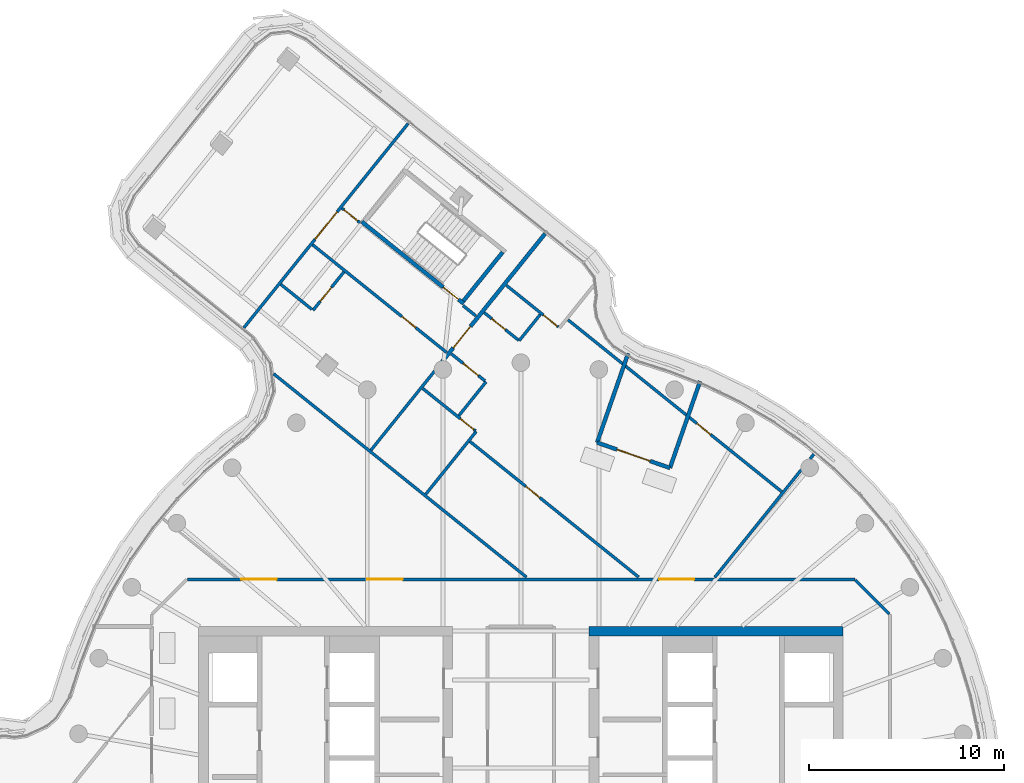
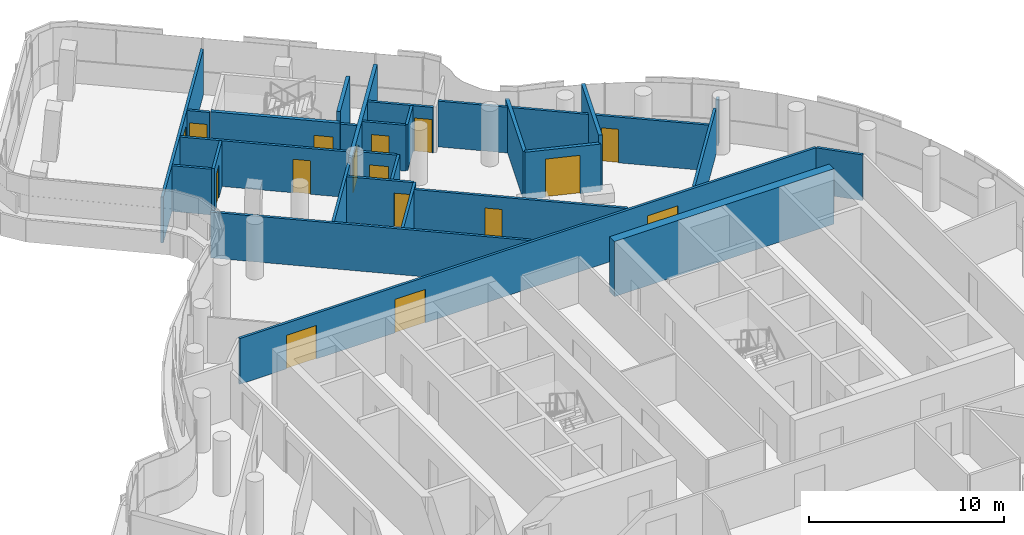
# One storey, part 18 of 25: 28 walls, 16 doors, 16 openings.
"""IFC4 building model written with IfcOpenShell, lengths in metres."""

from ifc_helpers import new_model, si_unit, direction, frame, frame_2d, origin, place, context, subcontext, project, spatial, rectangle, extrude, material, layer, layer_set, type_object, element, fill, save


model = new_model("IFC4")

# Units and contexts
model_context = context("Model", 3, precision=1e-05, world=origin(), true_north=direction((0.0, 1.0)))
body_context = subcontext(model_context, "Body", "Model", "MODEL_VIEW")
ifc_project = project(units=[si_unit("LENGTHUNIT", "METRE"), si_unit("AREAUNIT", "SQUARE_METRE"), si_unit("VOLUMEUNIT", "CUBIC_METRE"), si_unit("PLANEANGLEUNIT", "RADIAN"), si_unit("MASSUNIT", "GRAM", prefix="KILO")], contexts=[model_context])

# Site, building, storey
site_placement = place(None, origin())
site = spatial("IfcSite", under=ifc_project, at=site_placement, CompositionType="ELEMENT")
building_placement = place(site_placement, origin())
building = spatial("IfcBuilding", under=site, at=building_placement, Name="Tamarind Cross Interchange Tower", CompositionType="ELEMENT")
storey_placement = place(building_placement, frame((0.0, 0.0, 219.89990234375)))
storey = spatial("IfcBuildingStorey", under=building, at=storey_placement, Name="L55", CompositionType="ELEMENT", Elevation=219.89990234375)

# Wall, opening, door
ifc_material_1 = material(Name="Concrete C40", Category="concrete")
ifc_layer_1 = layer(ifc_material_1, 0.199951171875)
ifc_layer_set_1 = layer_set([ifc_layer_1], Name="Concrete C40")
wall_type_1 = type_object("IfcWallType", Name="Balcony and garden door wall", PredefinedType="SOLIDWALL", material=ifc_layer_set_1)
wall_1_placement = place(storey_placement, frame((7.6337890625, 17.6083984375, 0.0), z_axis=(0.0, 0.0, 1.0), x_axis=(-0.944480118934, 0.328568569613, 0.0)))
wall_1 = element("IfcWall", 1, at=wall_1_placement, inside=storey, type_object=wall_type_1, Name="EXW-L55-WG-L55-WNb", PredefinedType="SOLIDWALL", context=body_context, shape_type="SweptSolid", body=[
    extrude(rectangle(XDim=3.949951171875, YDim=0.199951171875, at=frame_2d((1.97509765625, 0.0))), origin(), (0.0, 0.0, 1.0), 2.964111328125),
])
opening_1_placement = place(wall_1_placement, frame((1.074951171875, 0.0, 0.0)))
opening_1 = element("IfcOpeningElement", 2, at=opening_1_placement, cuts=wall_1, Name="Opening D5", PredefinedType="OPENING", context=body_context, shape_type="SweptSolid", body=[
    extrude(rectangle(XDim=1.800048828125, YDim=2.39990234375, at=frame_2d((0.89990234375, 1.199951171875))), frame((0.0, 0.10986328125, 0.0), z_axis=(0.0, -1.0, 0.0), x_axis=(1.0, 0.0, 0.0)), (0.0, 0.0, 1.0), 0.219970703125),
])
ifc_material_2 = material(Name="Aluminium and toughened glass", Category="aluminium")
door_type_1 = type_object("IfcDoorType", Name="Roof garden door", OperationType="DOUBLE_DOOR_SINGLE_SWING", PredefinedType="DOOR", material=ifc_material_2)
door_1_placement = place(opening_1_placement, origin())
door_1 = element("IfcDoor", 3, at=door_1_placement, inside=storey, type_object=door_type_1, Name="DOR-L55-WG-L55-WNb", OperationType="SINGLE_SWING_LEFT", OverallHeight=2.39990234375, OverallWidth=1.800048828125, PredefinedType="DOOR", context=body_context, shape_type="SweptSolid", body=[
    extrude(rectangle(XDim=1.800048828125, YDim=2.39990234375, at=frame_2d((0.89990234375, 1.199951171875))), frame((0.0, 0.02490234375, 0.0), z_axis=(0.0, -1.0, 0.0), x_axis=(1.0, 0.0, 0.0)), (0.0, 0.0, 1.0), 0.050048828125),
])
fill(opening_1, door_1)

# Walls
wall_2_placement = place(storey_placement, frame((7.633544921875, 17.6083984375, 0.0), z_axis=(0.0, 0.0, 1.0), x_axis=(0.328583047261, 0.944475082283, 0.0)))
element("IfcWall", 4, at=wall_2_placement, inside=storey, type_object=wall_type_1, Name="EXW-L55-WG-L55-WNb-R0", PredefinedType="SOLIDWALL", context=body_context, shape_type="SweptSolid", body=[
    extrude(rectangle(XDim=4.702392578125, YDim=0.199951171875, at=frame_2d((2.35107421875, 0.0))), origin(), (0.0, 0.0, 1.0), 3.460205078125),
])
wall_3_placement = place(storey_placement, frame((3.9033203125, 18.90625, 0.0), z_axis=(0.0, 0.0, 1.0), x_axis=(0.328583250144, 0.9444750117, 0.0)))
element("IfcWall", 5, at=wall_3_placement, inside=storey, type_object=wall_type_1, Name="EXW-L55-WG-L55-WNb-R1", PredefinedType="SOLIDWALL", context=body_context, shape_type="SweptSolid", body=[
    extrude(rectangle(XDim=4.83837890625, YDim=0.199951171875, at=frame_2d((2.419189453125, 0.0))), origin(), (0.0, 0.0, 1.0), 2.964111328125),
])
ifc_material_3 = material(Name="Concrete C50", Category="concrete")
ifc_layer_2 = layer(ifc_material_3, 0.5)
ifc_layer_set_2 = layer_set([ifc_layer_2], Name="Concrete C50")
wall_type_2 = type_object("IfcWallType", Name="Core wall 500 mm Concrete C50", PredefinedType="SHEAR", material=ifc_layer_set_2)
wall_4_placement = place(storey_placement, frame((16.5, 9.25, 0.0), z_axis=(0.0, 0.0, 1.0), x_axis=(-1.0, 0.0, 0.0)))
element("IfcWall", 6, at=wall_4_placement, inside=storey, type_object=wall_type_2, Name="Core wall CWL-L55-E-NE", PredefinedType="SHEAR", context=body_context, shape_type="SweptSolid", body=[
    extrude(rectangle(XDim=13.0, YDim=0.5, at=frame_2d((6.5, 0.0))), origin(), (0.0, 0.0, 1.0), 3.460205078125),
])
ifc_material_4 = material(Name="Gypsum board partition on steel studs", Category="steel")
ifc_layer_3 = layer(ifc_material_4, 0.14990234375)
ifc_layer_set_3 = layer_set([ifc_layer_3], Name="Gypsum board partition on steel studs")
wall_type_3 = type_object("IfcWallType", Name="Partition 150 mm EI 120", PredefinedType="PARTITIONING", material=ifc_layer_set_3)
wall_5_placement = place(storey_placement, frame((17.12841796875, 11.87158203125, 0.0), z_axis=(0.0, 0.0, 1.0), x_axis=(0.707106781187, -0.707106781187, 0.0)))
element("IfcWall", 7, at=wall_5_placement, inside=storey, type_object=wall_type_3, Name="Partition L55-003", PredefinedType="PARTITIONING", context=body_context, shape_type="SweptSolid", body=[
    extrude(rectangle(XDim=2.465087890625, YDim=0.14990234375, at=frame_2d((1.232421875, 0.0))), origin(), (0.0, 0.0, 1.0), 2.864013671875),
])
wall_6_placement = place(storey_placement, frame((-12.664794921875, 22.431884765625, 0.0), z_axis=(0.0, 0.0, 1.0), x_axis=(0.779284245227, -0.626670619338, 0.0)))
element("IfcWall", 8, at=wall_6_placement, inside=storey, type_object=wall_type_3, Name="Partition L55-011", PredefinedType="PARTITIONING", context=body_context, shape_type="SweptSolid", body=[
    extrude(rectangle(XDim=16.62109375, YDim=0.14990234375, at=frame_2d((8.310546875, 0.0))), origin(), (0.0, 0.0, 1.0), 2.864013671875),
])
wall_7_placement = place(storey_placement, frame((-12.293701171875, 27.010009765625, 0.0), z_axis=(0.0, 0.0, 1.0), x_axis=(0.779106968826, -0.626891004184, 0.0)))
element("IfcWall", 9, at=wall_7_placement, inside=storey, type_object=wall_type_3, Name="Partition L55-012", PredefinedType="PARTITIONING", context=body_context, shape_type="SweptSolid", body=[
    extrude(rectangle(XDim=2.044921875, YDim=0.14990234375, at=frame_2d((1.0224609375, 0.0))), origin(), (0.0, 0.0, 1.0), 2.864013671875),
])

# Wall, opening, door
wall_8_placement = place(storey_placement, frame((-10.66455078125, 29.035888671875, 0.0), z_axis=(0.0, 0.0, 1.0), x_axis=(0.779529978914, -0.626364919176, 0.0)))
wall_8 = element("IfcWall", 10, at=wall_8_placement, inside=storey, type_object=wall_type_3, Name="Partition L55-013", PredefinedType="PARTITIONING", context=body_context, shape_type="SweptSolid", body=[
    extrude(rectangle(XDim=8.80029296875, YDim=0.14990234375, at=frame_2d((4.400146484375, 0.0))), origin(), (0.0, 0.0, 1.0), 2.864013671875),
])
opening_2_placement = place(wall_8_placement, frame((5.8701171875, 0.0, 0.0)))
opening_2 = element("IfcOpeningElement", 11, at=opening_2_placement, cuts=wall_8, Name="Opening D04", PredefinedType="OPENING", context=body_context, shape_type="SweptSolid", body=[
    extrude(rectangle(XDim=0.89990234375, YDim=2.10009765625, at=frame_2d((0.449951171875, 1.050048828125))), frame((0.0, 0.0849609375, 0.0), z_axis=(0.0, -1.0, 0.0), x_axis=(1.0, 0.0, 0.0)), (0.0, 0.0, 1.0), 0.169921875),
])
ifc_material_5 = material(Name="Fire-resisting door set")
door_type_2 = type_object("IfcDoorType", Name="Interior door 900 x 2100 FD60S", OperationType="SINGLE_SWING_LEFT", PredefinedType="DOOR", material=ifc_material_5)
door_2_placement = place(opening_2_placement, frame((0.89990234375, 0.0, 0.0), z_axis=(0.0, 0.0, 1.0), x_axis=(-1.0, 0.0, 0.0)))
door_2 = element("IfcDoor", 12, at=door_2_placement, inside=storey, type_object=door_type_2, Name="Door D04", OperationType="SINGLE_SWING_RIGHT", OverallHeight=2.10009765625, OverallWidth=0.89990234375, PredefinedType="DOOR", context=body_context, shape_type="SweptSolid", body=[
    extrude(rectangle(XDim=0.89990234375, YDim=2.10009765625, at=frame_2d((0.449951171875, 1.050048828125))), frame((0.0, 0.02490234375, 0.0), z_axis=(0.0, -1.0, 0.0), x_axis=(1.0, 0.0, 0.0)), (0.0, 0.0, 1.0), 0.050048828125),
])
fill(opening_2, door_2)

wall_9_placement = place(storey_placement, frame((-9.16064453125, 30.906982421875, 0.0), z_axis=(0.0, 0.0, 1.0), x_axis=(0.779191494895, -0.626785939763, 0.0)))
wall_9 = element("IfcWall", 13, at=wall_9_placement, inside=storey, type_object=wall_type_3, Name="Partition L55-014", PredefinedType="PARTITIONING", context=body_context, shape_type="SweptSolid", body=[
    extrude(rectangle(XDim=1.1806640625, YDim=0.14990234375, at=frame_2d((0.59033203125, 0.0))), origin(), (0.0, 0.0, 1.0), 2.864013671875),
])
opening_3_placement = place(wall_9_placement, frame((0.130615234375, 0.0, 0.0)))
opening_3 = element("IfcOpeningElement", 14, at=opening_3_placement, cuts=wall_9, Name="Opening D05", PredefinedType="OPENING", context=body_context, shape_type="SweptSolid", body=[
    extrude(rectangle(XDim=0.89990234375, YDim=2.10009765625, at=frame_2d((0.449951171875, 1.050048828125))), frame((0.0, 0.0849609375, 0.0), z_axis=(0.0, -1.0, 0.0), x_axis=(1.0, 0.0, 0.0)), (0.0, 0.0, 1.0), 0.169921875),
])
door_3_placement = place(opening_3_placement, origin())
door_3 = element("IfcDoor", 15, at=door_3_placement, inside=storey, type_object=door_type_2, Name="Door D05", OperationType="SINGLE_SWING_RIGHT", OverallHeight=2.10009765625, OverallWidth=0.89990234375, PredefinedType="DOOR", context=body_context, shape_type="SweptSolid", body=[
    extrude(rectangle(XDim=0.89990234375, YDim=2.10009765625, at=frame_2d((0.449951171875, 1.050048828125))), frame((0.0, 0.02490234375, 0.0), z_axis=(0.0, -1.0, 0.0), x_axis=(1.0, 0.0, 0.0)), (0.0, 0.0, 1.0), 0.050048828125),
])
fill(opening_3, door_3)

# Wall
wall_10_placement = place(storey_placement, frame((-2.95751953125, 25.91796875, 0.0), z_axis=(0.0, 0.0, 1.0), x_axis=(0.77922270064, -0.626747144235, 0.0)))
element("IfcWall", 16, at=wall_10_placement, inside=storey, type_object=wall_type_3, Name="Partition L55-015", PredefinedType="PARTITIONING", context=body_context, shape_type="SweptSolid", body=[
    extrude(rectangle(XDim=0.840576171875, YDim=0.14990234375, at=frame_2d((0.42041015625, 0.0))), origin(), (0.0, 0.0, 1.0), 2.864013671875),
])

# Wall, opening, door
wall_11_placement = place(storey_placement, frame((-5.02978515625, 21.681884765625, 0.0), z_axis=(0.0, 0.0, 1.0), x_axis=(0.779278251962, -0.626678072074, 0.0)))
wall_11 = element("IfcWall", 17, at=wall_11_placement, inside=storey, type_object=wall_type_3, Name="Partition L55-016", PredefinedType="PARTITIONING", context=body_context, shape_type="SweptSolid", body=[
    extrude(rectangle(XDim=3.479736328125, YDim=0.14990234375, at=frame_2d((1.73974609375, 0.0))), origin(), (0.0, 0.0, 1.0), 2.864013671875),
])
opening_4_placement = place(wall_11_placement, frame((2.4697265625, 0.0, 0.0)))
opening_4 = element("IfcOpeningElement", 18, at=opening_4_placement, cuts=wall_11, Name="Opening D06", PredefinedType="OPENING", context=body_context, shape_type="SweptSolid", body=[
    extrude(rectangle(XDim=0.89990234375, YDim=2.10009765625, at=frame_2d((0.449951171875, 1.050048828125))), frame((0.0, 0.0849609375, 0.0), z_axis=(0.0, -1.0, 0.0), x_axis=(1.0, 0.0, 0.0)), (0.0, 0.0, 1.0), 0.169921875),
])
door_4_placement = place(opening_4_placement, frame((0.89990234375, 0.0, 0.0), z_axis=(0.0, 0.0, 1.0), x_axis=(-1.0, 0.0, 0.0)))
door_4 = element("IfcDoor", 19, at=door_4_placement, inside=storey, type_object=door_type_2, Name="Door D06", OperationType="SINGLE_SWING_RIGHT", OverallHeight=2.10009765625, OverallWidth=0.89990234375, PredefinedType="DOOR", context=body_context, shape_type="SweptSolid", body=[
    extrude(rectangle(XDim=0.89990234375, YDim=2.10009765625, at=frame_2d((0.449951171875, 1.050048828125))), frame((0.0, 0.02490234375, 0.0), z_axis=(0.0, -1.0, 0.0), x_axis=(1.0, 0.0, 0.0)), (0.0, 0.0, 1.0), 0.050048828125),
])
fill(opening_4, door_4)

wall_12_placement = place(storey_placement, frame((-3.5576171875, 23.44873046875, 0.0), z_axis=(0.0, 0.0, 1.0), x_axis=(0.779441374228, -0.626475174401, 0.0)))
wall_12 = element("IfcWall", 20, at=wall_12_placement, inside=storey, type_object=wall_type_3, Name="Partition L55-017", PredefinedType="PARTITIONING", context=body_context, shape_type="SweptSolid", body=[
    extrude(rectangle(XDim=2.205810546875, YDim=0.14990234375, at=frame_2d((1.10302734375, 0.0))), origin(), (0.0, 0.0, 1.0), 2.864013671875),
])
opening_5_placement = place(wall_12_placement, frame((0.780029296875, 0.0, 0.0)))
opening_5 = element("IfcOpeningElement", 21, at=opening_5_placement, cuts=wall_12, Name="Opening D07", PredefinedType="OPENING", context=body_context, shape_type="SweptSolid", body=[
    extrude(rectangle(XDim=1.0, YDim=2.10009765625, at=frame_2d((0.5, 1.050048828125))), frame((0.0, 0.0849609375, 0.0), z_axis=(0.0, -1.0, 0.0), x_axis=(1.0, 0.0, 0.0)), (0.0, 0.0, 1.0), 0.169921875),
])
door_type_3 = type_object("IfcDoorType", Name="Interior door 1000 x 2100 FD60S", OperationType="SINGLE_SWING_LEFT", PredefinedType="DOOR", material=ifc_material_5)
door_5_placement = place(opening_5_placement, frame((1.0, 0.0, 0.0), z_axis=(0.0, 0.0, 1.0), x_axis=(-1.0, 0.0, 0.0)))
door_5 = element("IfcDoor", 22, at=door_5_placement, inside=storey, type_object=door_type_3, Name="Door D07", OperationType="SINGLE_SWING_RIGHT", OverallHeight=2.10009765625, OverallWidth=1.0, PredefinedType="DOOR", context=body_context, shape_type="SweptSolid", body=[
    extrude(rectangle(XDim=1.0, YDim=2.10009765625, at=frame_2d((0.5, 1.050048828125))), frame((0.0, 0.02490234375, 0.0), z_axis=(0.0, -1.0, 0.0), x_axis=(1.0, 0.0, 0.0)), (0.0, 0.0, 1.0), 0.050048828125),
])
fill(opening_5, door_5)

wall_13_placement = place(storey_placement, frame((-2.6005859375, 18.958984375, 0.0), z_axis=(0.0, 0.0, 1.0), x_axis=(0.779260240467, -0.626700468826, 0.0)))
wall_13 = element("IfcWall", 23, at=wall_13_placement, inside=storey, type_object=wall_type_3, Name="Partition L55-018", PredefinedType="PARTITIONING", context=body_context, shape_type="SweptSolid", body=[
    extrude(rectangle(XDim=11.078857421875, YDim=0.14990234375, at=frame_2d((5.53955078125, 0.0))), origin(), (0.0, 0.0, 1.0), 2.864013671875),
])
opening_6_placement = place(wall_13_placement, frame((3.669921875, 0.0, 0.0)))
opening_6 = element("IfcOpeningElement", 24, at=opening_6_placement, cuts=wall_13, Name="Opening D08", PredefinedType="OPENING", context=body_context, shape_type="SweptSolid", body=[
    extrude(rectangle(XDim=0.89990234375, YDim=2.10009765625, at=frame_2d((0.449951171875, 1.050048828125))), frame((0.0, 0.0849609375, 0.0), z_axis=(0.0, -1.0, 0.0), x_axis=(1.0, 0.0, 0.0)), (0.0, 0.0, 1.0), 0.169921875),
])
door_6_placement = place(opening_6_placement, frame((0.89990234375, 0.0, 0.0), z_axis=(0.0, 0.0, 1.0), x_axis=(-1.0, 0.0, 0.0)))
door_6 = element("IfcDoor", 25, at=door_6_placement, inside=storey, type_object=door_type_2, Name="Door D08", OperationType="SINGLE_SWING_LEFT", OverallHeight=2.10009765625, OverallWidth=0.89990234375, PredefinedType="DOOR", context=body_context, shape_type="SweptSolid", body=[
    extrude(rectangle(XDim=0.89990234375, YDim=2.10009765625, at=frame_2d((0.449951171875, 1.050048828125))), frame((0.0, 0.02490234375, 0.0), z_axis=(0.0, -1.0, 0.0), x_axis=(1.0, 0.0, 0.0)), (0.0, 0.0, 1.0), 0.050048828125),
])
fill(opening_6, door_6)

wall_14_placement = place(storey_placement, frame((-1.881103515625, 25.565185546875, 0.0), z_axis=(0.0, 0.0, 1.0), x_axis=(0.779446392233, -0.626468931101, 0.0)))
wall_14 = element("IfcWall", 26, at=wall_14_placement, inside=storey, type_object=wall_type_3, Name="Partition L55-019", PredefinedType="PARTITIONING", context=body_context, shape_type="SweptSolid", body=[
    extrude(rectangle(XDim=2.280517578125, YDim=0.14990234375, at=frame_2d((1.14013671875, 0.0))), origin(), (0.0, 0.0, 1.0), 2.864013671875),
])
opening_7_placement = place(wall_14_placement, frame((0.5, 0.0, 0.0)))
opening_7 = element("IfcOpeningElement", 27, at=opening_7_placement, cuts=wall_14, Name="Opening D09", PredefinedType="OPENING", context=body_context, shape_type="SweptSolid", body=[
    extrude(rectangle(XDim=0.89990234375, YDim=2.10009765625, at=frame_2d((0.449951171875, 1.050048828125))), frame((0.0, 0.0849609375, 0.0), z_axis=(0.0, -1.0, 0.0), x_axis=(1.0, 0.0, 0.0)), (0.0, 0.0, 1.0), 0.169921875),
])
door_7_placement = place(opening_7_placement, origin())
door_7 = element("IfcDoor", 28, at=door_7_placement, inside=storey, type_object=door_type_2, Name="Door D09", OperationType="SINGLE_SWING_RIGHT", OverallHeight=2.10009765625, OverallWidth=0.89990234375, PredefinedType="DOOR", context=body_context, shape_type="SweptSolid", body=[
    extrude(rectangle(XDim=0.89990234375, YDim=2.10009765625, at=frame_2d((0.449951171875, 1.050048828125))), frame((0.0, 0.02490234375, 0.0), z_axis=(0.0, -1.0, 0.0), x_axis=(1.0, 0.0, 0.0)), (0.0, 0.0, 1.0), 0.050048828125),
])
fill(opening_7, door_7)

wall_15_placement = place(storey_placement, frame((-0.737548828125, 26.955810546875, 0.0), z_axis=(0.0, 0.0, 1.0), x_axis=(0.779423789997, -0.626497051539, 0.0)))
wall_15 = element("IfcWall", 29, at=wall_15_placement, inside=storey, type_object=wall_type_3, Name="Partition L55-020", PredefinedType="PARTITIONING", context=body_context, shape_type="SweptSolid", body=[
    extrude(rectangle(XDim=3.400390625, YDim=0.14990234375, at=frame_2d((1.7001953125, 0.0))), origin(), (0.0, 0.0, 1.0), 2.864013671875),
])
opening_8_placement = place(wall_15_placement, frame((2.430419921875, 0.0, 0.0)))
opening_8 = element("IfcOpeningElement", 30, at=opening_8_placement, cuts=wall_15, Name="Opening D10", PredefinedType="OPENING", context=body_context, shape_type="SweptSolid", body=[
    extrude(rectangle(XDim=0.89990234375, YDim=2.10009765625, at=frame_2d((0.449951171875, 1.050048828125))), frame((0.0, 0.0849609375, 0.0), z_axis=(0.0, -1.0, 0.0), x_axis=(1.0, 0.0, 0.0)), (0.0, 0.0, 1.0), 0.169921875),
])
door_8_placement = place(opening_8_placement, origin())
door_8 = element("IfcDoor", 31, at=door_8_placement, inside=storey, type_object=door_type_2, Name="Door D10", OperationType="SINGLE_SWING_LEFT", OverallHeight=2.10009765625, OverallWidth=0.89990234375, PredefinedType="DOOR", context=body_context, shape_type="SweptSolid", body=[
    extrude(rectangle(XDim=0.89990234375, YDim=2.10009765625, at=frame_2d((0.449951171875, 1.050048828125))), frame((0.0, 0.02490234375, 0.0), z_axis=(0.0, -1.0, 0.0), x_axis=(1.0, 0.0, 0.0)), (0.0, 0.0, 1.0), 0.050048828125),
])
fill(opening_8, door_8)

wall_16_placement = place(storey_placement, frame((2.413330078125, 25.19189453125, 0.0), z_axis=(0.0, 0.0, 1.0), x_axis=(0.779312396621, -0.6266356106, 0.0)))
wall_16 = element("IfcWall", 32, at=wall_16_placement, inside=storey, type_object=wall_type_3, Name="Partition L55-021", PredefinedType="PARTITIONING", context=body_context, shape_type="SweptSolid", body=[
    extrude(rectangle(XDim=14.039794921875, YDim=0.14990234375, at=frame_2d((7.02001953125, 0.0))), origin(), (0.0, 0.0, 1.0), 2.864013671875),
])
opening_9_placement = place(wall_16_placement, frame((8.469970703125, 0.0, 0.0)))
opening_9 = element("IfcOpeningElement", 33, at=opening_9_placement, cuts=wall_16, Name="Opening D11", PredefinedType="OPENING", context=body_context, shape_type="SweptSolid", body=[
    extrude(rectangle(XDim=0.89990234375, YDim=2.10009765625, at=frame_2d((0.449951171875, 1.050048828125))), frame((0.0, 0.0849609375, 0.0), z_axis=(0.0, -1.0, 0.0), x_axis=(1.0, 0.0, 0.0)), (0.0, 0.0, 1.0), 0.169921875),
])
door_9_placement = place(opening_9_placement, origin())
door_9 = element("IfcDoor", 34, at=door_9_placement, inside=storey, type_object=door_type_2, Name="Door D11", OperationType="SINGLE_SWING_LEFT", OverallHeight=2.10009765625, OverallWidth=0.89990234375, PredefinedType="DOOR", context=body_context, shape_type="SweptSolid", body=[
    extrude(rectangle(XDim=0.89990234375, YDim=2.10009765625, at=frame_2d((0.449951171875, 1.050048828125))), frame((0.0, 0.02490234375, 0.0), z_axis=(0.0, -1.0, 0.0), x_axis=(1.0, 0.0, 0.0)), (0.0, 0.0, 1.0), 0.050048828125),
])
fill(opening_9, door_9)

# Wall, openings, doors
wall_17_placement = place(storey_placement, frame((-17.06494140625, 11.89990234375, 0.0), z_axis=(0.0, 0.0, 1.0), x_axis=(1.0, 0.0, 0.0)))
wall_17 = element("IfcWall", 35, at=wall_17_placement, inside=storey, type_object=wall_type_3, Name="Partition L55-023", PredefinedType="PARTITIONING", context=body_context, shape_type="SweptSolid", body=[
    extrude(rectangle(XDim=34.1650390625, YDim=0.14990234375, at=frame_2d((17.08251953125, 0.0))), origin(), (0.0, 0.0, 1.0), 2.864013671875),
])
opening_10_placement = place(wall_17_placement, frame((24.14208984375, 0.0, 0.0)))
opening_10 = element("IfcOpeningElement", 36, at=opening_10_placement, cuts=wall_17, Name="Opening D18", PredefinedType="OPENING", context=body_context, shape_type="SweptSolid", body=[
    extrude(rectangle(XDim=1.800048828125, YDim=2.10009765625, at=frame_2d((0.89990234375, 1.050048828125))), frame((0.0, 0.0849609375, 0.0), z_axis=(0.0, -1.0, 0.0), x_axis=(1.0, 0.0, 0.0)), (0.0, 0.0, 1.0), 0.169921875),
])
opening_11_placement = place(wall_17_placement, frame((9.20703125, 0.0, 0.0)))
opening_11 = element("IfcOpeningElement", 37, at=opening_11_placement, cuts=wall_17, Name="Opening D19", PredefinedType="OPENING", context=body_context, shape_type="SweptSolid", body=[
    extrude(rectangle(XDim=1.800048828125, YDim=2.10009765625, at=frame_2d((0.89990234375, 1.050048828125))), frame((0.0, 0.0849609375, 0.0), z_axis=(0.0, -1.0, 0.0), x_axis=(1.0, 0.0, 0.0)), (0.0, 0.0, 1.0), 0.169921875),
])
opening_12_placement = place(wall_17_placement, frame((2.757080078125, 0.0, 0.0)))
opening_12 = element("IfcOpeningElement", 38, at=opening_12_placement, cuts=wall_17, Name="Opening D20", PredefinedType="OPENING", context=body_context, shape_type="SweptSolid", body=[
    extrude(rectangle(XDim=1.800048828125, YDim=2.10009765625, at=frame_2d((0.89990234375, 1.050048828125))), frame((0.0, 0.0849609375, 0.0), z_axis=(0.0, -1.0, 0.0), x_axis=(1.0, 0.0, 0.0)), (0.0, 0.0, 1.0), 0.169921875),
])
door_type_4 = type_object("IfcDoorType", Name="Interior door 1800 x 2100 FD60S", OperationType="DOUBLE_DOOR_SINGLE_SWING", PredefinedType="DOOR", material=ifc_material_5)
door_10_placement = place(opening_10_placement, frame((1.800048828125, 0.0, 0.0), z_axis=(0.0, 0.0, 1.0), x_axis=(-1.0, 0.0, 0.0)))
door_10 = element("IfcDoor", 39, at=door_10_placement, inside=storey, type_object=door_type_4, Name="Door D18", OperationType="DOUBLE_DOOR_SINGLE_SWING", OverallHeight=2.10009765625, OverallWidth=1.800048828125, PredefinedType="DOOR", context=body_context, shape_type="SweptSolid", body=[
    extrude(rectangle(XDim=1.800048828125, YDim=2.10009765625, at=frame_2d((0.89990234375, 1.050048828125))), frame((0.0, 0.02490234375, 0.0), z_axis=(0.0, -1.0, 0.0), x_axis=(1.0, 0.0, 0.0)), (0.0, 0.0, 1.0), 0.050048828125),
])
fill(opening_10, door_10)
door_11_placement = place(opening_11_placement, origin())
door_11 = element("IfcDoor", 40, at=door_11_placement, inside=storey, type_object=door_type_4, Name="Door D19", OperationType="DOUBLE_DOOR_SINGLE_SWING", OverallHeight=2.10009765625, OverallWidth=1.800048828125, PredefinedType="DOOR", context=body_context, shape_type="SweptSolid", body=[
    extrude(rectangle(XDim=1.800048828125, YDim=2.10009765625, at=frame_2d((0.89990234375, 1.050048828125))), frame((0.0, 0.02490234375, 0.0), z_axis=(0.0, -1.0, 0.0), x_axis=(1.0, 0.0, 0.0)), (0.0, 0.0, 1.0), 0.050048828125),
])
fill(opening_11, door_11)
door_12_placement = place(opening_12_placement, origin())
door_12 = element("IfcDoor", 41, at=door_12_placement, inside=storey, type_object=door_type_4, Name="Door D20", OperationType="DOUBLE_DOOR_SINGLE_SWING", OverallHeight=2.10009765625, OverallWidth=1.800048828125, PredefinedType="DOOR", context=body_context, shape_type="SweptSolid", body=[
    extrude(rectangle(XDim=1.800048828125, YDim=2.10009765625, at=frame_2d((0.89990234375, 1.050048828125))), frame((0.0, 0.02490234375, 0.0), z_axis=(0.0, -1.0, 0.0), x_axis=(1.0, 0.0, 0.0)), (0.0, 0.0, 1.0), 0.050048828125),
])
fill(opening_12, door_12)

# Wall, opening, door
wall_18_placement = place(storey_placement, frame((-14.18798828125, 24.7822265625, 0.0), z_axis=(0.0, 0.0, 1.0), x_axis=(0.626733675184, 0.779233533923, 0.0)))
wall_18 = element("IfcWall", 42, at=wall_18_placement, inside=storey, type_object=wall_type_3, Name="Partition L55-040", PredefinedType="PARTITIONING", context=body_context, shape_type="SweptSolid", body=[
    extrude(rectangle(XDim=13.422119140625, YDim=0.14990234375, at=frame_2d((6.7109375, 0.0))), origin(), (0.0, 0.0, 1.0), 2.864013671875),
])
opening_13_placement = place(wall_18_placement, frame((5.82275390625, 0.0, 0.0)))
opening_13 = element("IfcOpeningElement", 43, at=opening_13_placement, cuts=wall_18, Name="Opening D24", PredefinedType="OPENING", context=body_context, shape_type="SweptSolid", body=[
    extrude(rectangle(XDim=1.800048828125, YDim=2.10009765625, at=frame_2d((0.89990234375, 1.050048828125))), frame((0.0, 0.0849609375, 0.0), z_axis=(0.0, -1.0, 0.0), x_axis=(1.0, 0.0, 0.0)), (0.0, 0.0, 1.0), 0.169921875),
])
door_13_placement = place(opening_13_placement, origin())
door_13 = element("IfcDoor", 44, at=door_13_placement, inside=storey, type_object=door_type_4, Name="Door D24", OperationType="DOUBLE_DOOR_SINGLE_SWING", OverallHeight=2.10009765625, OverallWidth=1.800048828125, PredefinedType="DOOR", context=body_context, shape_type="SweptSolid", body=[
    extrude(rectangle(XDim=1.800048828125, YDim=2.10009765625, at=frame_2d((0.89990234375, 1.050048828125))), frame((0.0, 0.02490234375, 0.0), z_axis=(0.0, -1.0, 0.0), x_axis=(1.0, 0.0, 0.0)), (0.0, 0.0, 1.0), 0.050048828125),
])
fill(opening_13, door_13)

wall_19_placement = place(storey_placement, frame((-10.64208984375, 25.680908203125, 0.0), z_axis=(0.0, 0.0, 1.0), x_axis=(0.626676843838, 0.77927923968, 0.0)))
wall_19 = element("IfcWall", 45, at=wall_19_placement, inside=storey, type_object=wall_type_3, Name="Partition L55-041", PredefinedType="PARTITIONING", context=body_context, shape_type="SweptSolid", body=[
    extrude(rectangle(XDim=2.521240234375, YDim=0.14990234375, at=frame_2d((1.2607421875, 0.0))), origin(), (0.0, 0.0, 1.0), 2.864013671875),
])
opening_14_placement = place(wall_19_placement, frame((0.60009765625, 0.0, 0.0)))
opening_14 = element("IfcOpeningElement", 46, at=opening_14_placement, cuts=wall_19, Name="Opening D25", PredefinedType="OPENING", context=body_context, shape_type="SweptSolid", body=[
    extrude(rectangle(XDim=0.89990234375, YDim=2.10009765625, at=frame_2d((0.449951171875, 1.050048828125))), frame((0.0, 0.0849609375, 0.0), z_axis=(0.0, -1.0, 0.0), x_axis=(1.0, 0.0, 0.0)), (0.0, 0.0, 1.0), 0.169921875),
])
door_14_placement = place(opening_14_placement, origin())
door_14 = element("IfcDoor", 47, at=door_14_placement, inside=storey, type_object=door_type_2, Name="Door D25", OperationType="SINGLE_SWING_RIGHT", OverallHeight=2.10009765625, OverallWidth=0.89990234375, PredefinedType="DOOR", context=body_context, shape_type="SweptSolid", body=[
    extrude(rectangle(XDim=0.89990234375, YDim=2.10009765625, at=frame_2d((0.449951171875, 1.050048828125))), frame((0.0, 0.02490234375, 0.0), z_axis=(0.0, -1.0, 0.0), x_axis=(1.0, 0.0, 0.0)), (0.0, 0.0, 1.0), 0.050048828125),
])
fill(opening_14, door_14)

# Walls
wall_20_placement = place(storey_placement, frame((-7.673828125, 18.521240234375, 0.0), z_axis=(0.0, 0.0, 1.0), x_axis=(0.626662098772, 0.779291097064, 0.0)))
element("IfcWall", 48, at=wall_20_placement, inside=storey, type_object=wall_type_3, Name="Partition L55-042", PredefinedType="PARTITIONING", context=body_context, shape_type="SweptSolid", body=[
    extrude(rectangle(XDim=5.307373046875, YDim=0.14990234375, at=frame_2d((2.65380859375, 0.0))), origin(), (0.0, 0.0, 1.0), 2.864013671875),
])
wall_21_placement = place(storey_placement, frame((-4.868896484375, 16.265380859375, 0.0), z_axis=(0.0, 0.0, 1.0), x_axis=(0.626586553854, 0.779351840012, 0.0)))
element("IfcWall", 49, at=wall_21_placement, inside=storey, type_object=wall_type_3, Name="Partition L55-044", PredefinedType="PARTITIONING", context=body_context, shape_type="SweptSolid", body=[
    extrude(rectangle(XDim=4.1201171875, YDim=0.14990234375, at=frame_2d((2.06005859375, 0.0))), origin(), (0.0, 0.0, 1.0), 2.864013671875),
])
wall_22_placement = place(storey_placement, frame((-3.171875, 20.290283203125, 0.0), z_axis=(0.0, 0.0, 1.0), x_axis=(0.626905231465, 0.779095520949, 0.0)))
element("IfcWall", 50, at=wall_22_placement, inside=storey, type_object=wall_type_3, Name="Partition L55-046", PredefinedType="PARTITIONING", context=body_context, shape_type="SweptSolid", body=[
    extrude(rectangle(XDim=2.22021484375, YDim=0.14990234375, at=frame_2d((1.110107421875, 0.0))), origin(), (0.0, 0.0, 1.0), 2.864013671875),
])
wall_23_placement = place(storey_placement, frame((-0.08740234375, 24.12353515625, 0.0), z_axis=(0.0, 0.0, 1.0), x_axis=(0.62701150586, 0.779009994492, 0.0)))
element("IfcWall", 51, at=wall_23_placement, inside=storey, type_object=wall_type_3, Name="Partition L55-047", PredefinedType="PARTITIONING", context=body_context, shape_type="SweptSolid", body=[
    extrude(rectangle(XDim=1.72021484375, YDim=0.14990234375, at=frame_2d((0.860107421875, 0.0))), origin(), (0.0, 0.0, 1.0), 2.864013671875),
])
wall_24_placement = place(storey_placement, frame((9.927490234375, 12.005126953125, 0.0), z_axis=(0.0, 0.0, 1.0), x_axis=(0.626707997456, 0.779254185696, 0.0)))
element("IfcWall", 52, at=wall_24_placement, inside=storey, type_object=wall_type_3, Name="Partition L55-048", PredefinedType="PARTITIONING", context=body_context, shape_type="SweptSolid", body=[
    extrude(rectangle(XDim=7.062744140625, YDim=0.14990234375, at=frame_2d((3.53125, 0.0))), origin(), (0.0, 0.0, 1.0), 2.864013671875),
])
wall_25_placement = place(storey_placement, frame((14.807373046875, 18.07275390625, 0.0), z_axis=(0.0, 0.0, 1.0), x_axis=(0.626696680014, 0.779263287509, 0.0)))
element("IfcWall", 53, at=wall_25_placement, inside=storey, type_object=wall_type_3, Name="Partition L55-049", PredefinedType="PARTITIONING", context=body_context, shape_type="SweptSolid", body=[
    extrude(rectangle(XDim=0.31201171875, YDim=0.14990234375, at=frame_2d((0.156005859375, 0.0))), origin(), (0.0, 0.0, 1.0), 2.864013671875),
])

# Wall, opening, door
ifc_layer_4 = layer(ifc_material_4, 0.199951171875)
ifc_layer_set_4 = layer_set([ifc_layer_4], Name="Gypsum board partition on steel studs")
wall_type_4 = type_object("IfcWallType", Name="Partition 200 mm EI 180", PredefinedType="PARTITIONING", material=ifc_layer_set_4)
wall_26_placement = place(storey_placement, frame((-4.06591796875, 23.0078125, 0.0), z_axis=(0.0, 0.0, 1.0), x_axis=(0.62666000118, 0.779292783824, 0.0)))
wall_26 = element("IfcWall", 54, at=wall_26_placement, inside=storey, type_object=wall_type_4, Name="Partition L55-043", PredefinedType="PARTITIONING", context=body_context, shape_type="SweptSolid", body=[
    extrude(rectangle(XDim=8.46142578125, YDim=0.199951171875, at=frame_2d((4.230712890625, 0.0))), origin(), (0.0, 0.0, 1.0), 2.864013671875),
])
opening_15_placement = place(wall_26_placement, frame((0.96240234375, 0.0, 0.0)))
opening_15 = element("IfcOpeningElement", 55, at=opening_15_placement, cuts=wall_26, Name="Opening D26", PredefinedType="OPENING", context=body_context, shape_type="SweptSolid", body=[
    extrude(rectangle(XDim=1.39990234375, YDim=2.10009765625, at=frame_2d((0.699951171875, 1.050048828125))), frame((0.0, 0.10986328125, 0.0), z_axis=(0.0, -1.0, 0.0), x_axis=(1.0, 0.0, 0.0)), (0.0, 0.0, 1.0), 0.219970703125),
])
door_type_5 = type_object("IfcDoorType", Name="Interior door 1400 x 2100 FD120S", OperationType="DOUBLE_DOOR_SINGLE_SWING", PredefinedType="DOOR", material=ifc_material_5)
door_15_placement = place(opening_15_placement, frame((1.39990234375, 0.0, 0.0), z_axis=(0.0, 0.0, 1.0), x_axis=(-1.0, 0.0, 0.0)))
door_15 = element("IfcDoor", 56, at=door_15_placement, inside=storey, type_object=door_type_5, Name="Door D26", OperationType="DOUBLE_DOOR_SINGLE_SWING", OverallHeight=2.10009765625, OverallWidth=1.39990234375, PredefinedType="DOOR", context=body_context, shape_type="SweptSolid", body=[
    extrude(rectangle(XDim=1.39990234375, YDim=2.10009765625, at=frame_2d((0.699951171875, 1.050048828125))), frame((0.0, 0.02490234375, 0.0), z_axis=(0.0, -1.0, 0.0), x_axis=(1.0, 0.0, 0.0)), (0.0, 0.0, 1.0), 0.050048828125),
])
fill(opening_15, door_15)

ifc_layer_5 = layer(ifc_material_1, 0.199951171875)
ifc_layer_set_5 = layer_set([ifc_layer_5], Name="Concrete C40")
wall_type_5 = type_object("IfcWallType", Name="Stair shaft wall 200 mm Concrete C40", PredefinedType="SHEAR", material=ifc_layer_set_5)
wall_27_placement = place(storey_placement, frame((-2.92578125, 26.02099609375, -0.139892578125), z_axis=(0.0, 0.0, 1.0), x_axis=(-0.779295070633, 0.626657157373, 0.0)))
wall_27 = element("IfcWall", 57, at=wall_27_placement, inside=storey, type_object=wall_type_5, Name="Core wall CWL-L55-ST4-H", PredefinedType="SHEAR", context=body_context, shape_type="SweptSolid", body=[
    extrude(rectangle(XDim=6.7001953125, YDim=0.199951171875, at=frame_2d((3.35009765625, 0.0))), origin(), (0.0, 0.0, 1.0), 3.00390625),
])
opening_16_placement = place(wall_27_placement, frame((0.35009765625, 0.0, 0.0)))
opening_16 = element("IfcOpeningElement", 58, at=opening_16_placement, cuts=wall_27, Name="Opening ST4L55", PredefinedType="OPENING", context=body_context, shape_type="SweptSolid", body=[
    extrude(rectangle(XDim=1.0, YDim=2.10009765625, at=frame_2d((0.5, 1.050048828125))), frame((0.0, 0.10986328125, 0.0), z_axis=(0.0, -1.0, 0.0), x_axis=(1.0, 0.0, 0.0)), (0.0, 0.0, 1.0), 0.219970703125),
])
ifc_material_6 = material(Name="Steel, fire-resisting", Category="steel")
door_type_6 = type_object("IfcDoorType", Name="Core fire door 1000 x 2100 FD90", OperationType="SINGLE_SWING_LEFT", PredefinedType="DOOR", material=ifc_material_6)
door_16_placement = place(opening_16_placement, origin())
door_16 = element("IfcDoor", 59, at=door_16_placement, inside=storey, type_object=door_type_6, Name="L55 stair door ST4", OperationType="SINGLE_SWING_LEFT", OverallHeight=2.10009765625, OverallWidth=1.0, PredefinedType="DOOR", context=body_context, shape_type="SweptSolid", body=[
    extrude(rectangle(XDim=1.0, YDim=2.10009765625, at=frame_2d((0.5, 1.050048828125))), frame((0.0, 0.02490234375, 0.0), z_axis=(0.0, -1.0, 0.0), x_axis=(1.0, 0.0, 0.0)), (0.0, 0.0, 1.0), 0.050048828125),
])
fill(opening_16, door_16)

# Wall
wall_28_placement = place(storey_placement, frame((-0.935791015625, 28.655517578125, -0.139892578125), z_axis=(0.0, 0.0, 1.0), x_axis=(-0.626646862977, -0.779303348589, 0.0)))
element("IfcWall", 60, at=wall_28_placement, inside=storey, type_object=wall_type_5, Name="Core wall CWL-L55-ST4-CE", PredefinedType="SHEAR", context=body_context, shape_type="SweptSolid", body=[
    extrude(rectangle(XDim=3.2001953125, YDim=0.199951171875, at=frame_2d((1.60009765625, 0.0))), origin(), (0.0, 0.0, 1.0), 3.60009765625),
])

save(model, "model.ifc")
